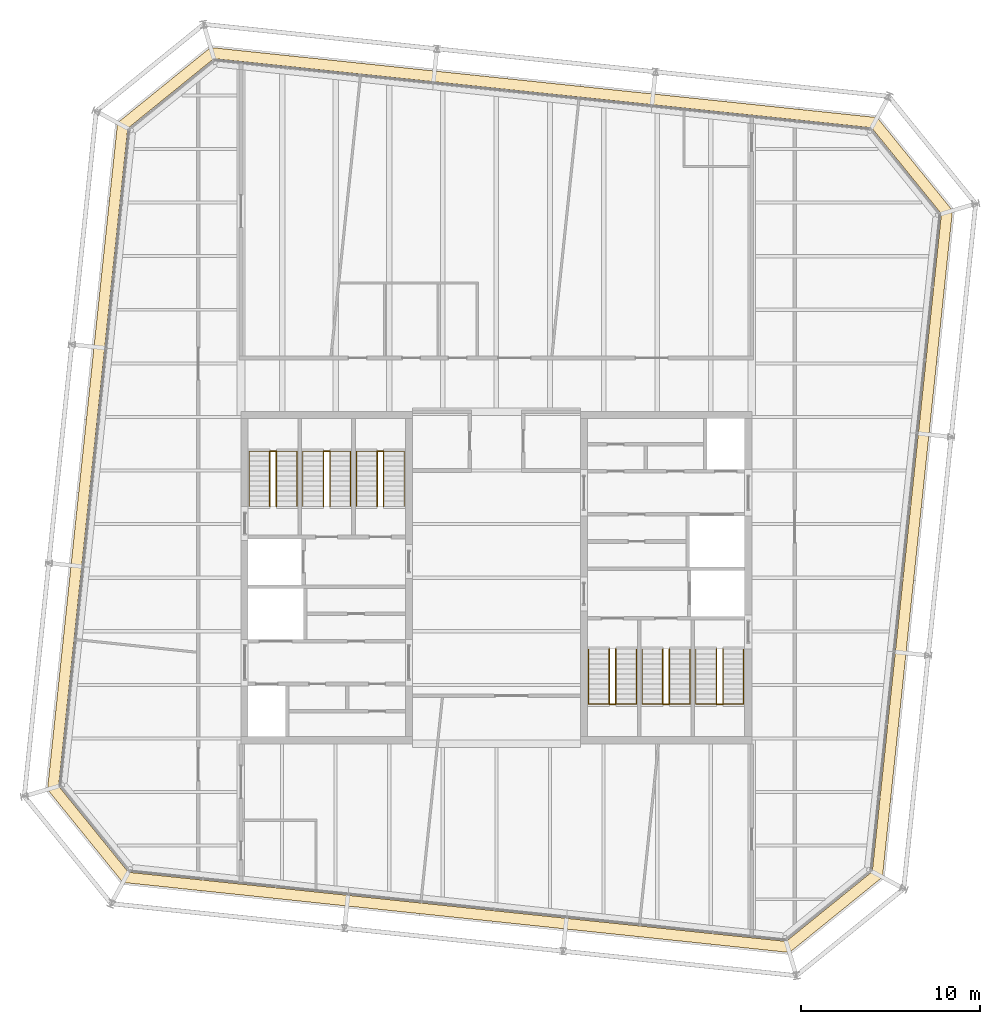
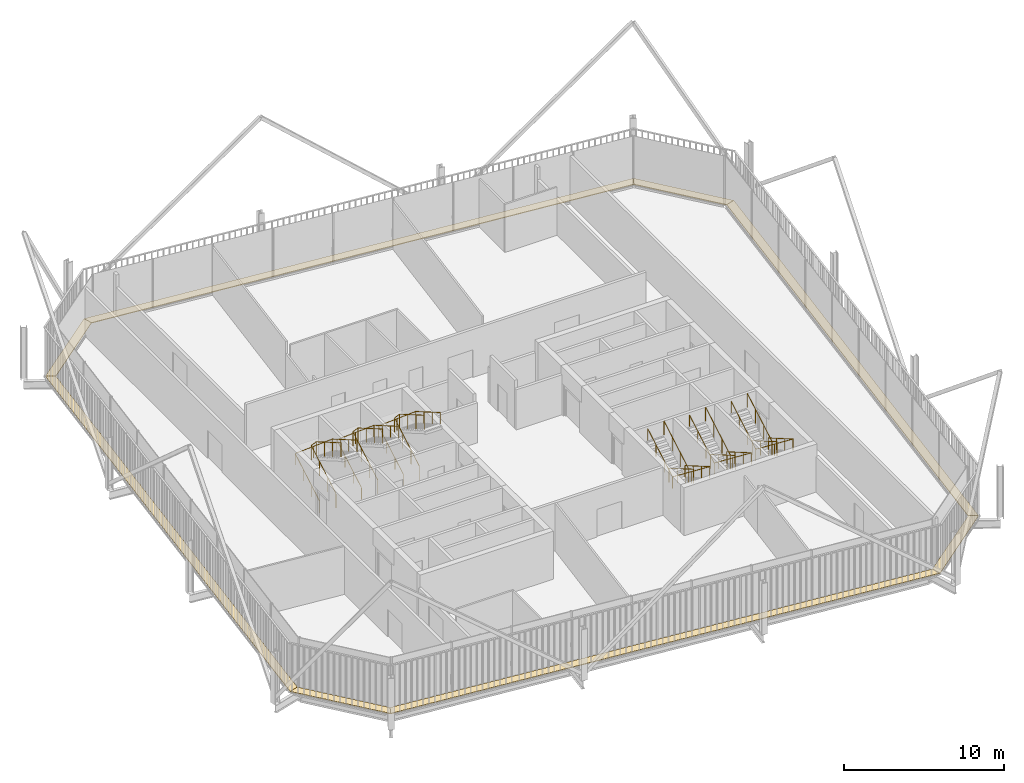
# One storey, part 21 of 21: 12 railings, 8 coverings.
"""IFC4 building model written with IfcOpenShell, lengths in metres."""

from ifc_helpers import new_model, si_unit, direction, frame, origin, origin_2d, place, context, subcontext, project, spatial, polyline, circle, outline, extrude, material, layer, layer_set, type_object, element, save


model = new_model("IFC4")

# Units and contexts
model_context = context("Model", 3, precision=1e-05, world=origin(), true_north=direction((0.0, 1.0)))
body_context = subcontext(model_context, "Body", "Model", "MODEL_VIEW")
ifc_project = project(units=[si_unit("LENGTHUNIT", "METRE"), si_unit("AREAUNIT", "SQUARE_METRE"), si_unit("VOLUMEUNIT", "CUBIC_METRE"), si_unit("PLANEANGLEUNIT", "RADIAN"), si_unit("MASSUNIT", "GRAM", prefix="KILO")], contexts=[model_context])

# Site, building, storey
site_placement = place(None, origin())
site = spatial("IfcSite", under=ifc_project, at=site_placement, CompositionType="ELEMENT")
building_placement = place(site_placement, origin())
building = spatial("IfcBuilding", under=site, at=building_placement, Name="Millrace Tower", CompositionType="ELEMENT")
storey_placement = place(building_placement, frame((0.0, 0.0, 307.199951171875)))
storey = spatial("IfcBuildingStorey", under=building, at=storey_placement, Name="L71", CompositionType="ELEMENT", Elevation=307.199951171875)

# Coverings
ifc_material_1 = material(Name="Steel ASTM A36", Category="steel")
ifc_layer = layer(ifc_material_1, 0.050048828125)
ifc_layer_set = layer_set([ifc_layer], Name="Steel ASTM A36")
covering_type = type_object("IfcCoveringType", Name="CAVITY CATWALK steel grating", PredefinedType="FLOORING", material=ifc_layer_set)
placement = place(storey_placement, frame((0.0, 0.0, 0.10009765625)))
element("IfcCovering", 1, at=placement, inside=storey, type_object=covering_type, Name="Cavity catwalk grating E-F01 L71 1", PredefinedType="FLOORING", context=body_context, shape_type="SweptSolid", body=[
    extrude(outline(polyline([(-25.13232421875, -11.8515625), (-20.914306640625, -17.060302734375), (-20.6044921875, -16.489501953125), (-24.509521484375, -11.6669921875), (-25.13232421875, -11.8515625)])), origin(), (0.0, 0.0, 1.0), 0.050048828125),
])
element("IfcCovering", 2, at=placement, inside=storey, type_object=covering_type, Name="Cavity catwalk grating E-F02 L71 1", PredefinedType="FLOORING", context=body_context, shape_type="SweptSolid", body=[
    extrude(outline(polyline([(-20.914306640625, -17.060302734375), (16.4013671875, -20.982177734375), (16.217041015625, -20.359619140625), (-20.6044921875, -16.489501953125), (-20.914306640625, -17.060302734375)])), origin(), (0.0, 0.0, 1.0), 0.050048828125),
])
element("IfcCovering", 3, at=placement, inside=storey, type_object=covering_type, Name="Cavity catwalk grating E-F03 L71 1", PredefinedType="FLOORING", context=body_context, shape_type="SweptSolid", body=[
    extrude(outline(polyline([(16.4013671875, -20.982177734375), (21.6103515625, -16.764404296875), (21.03955078125, -16.454345703125), (16.217041015625, -20.359619140625), (16.4013671875, -20.982177734375)])), origin(), (0.0, 0.0, 1.0), 0.050048828125),
])
element("IfcCovering", 4, at=placement, inside=storey, type_object=covering_type, Name="Cavity catwalk grating E-F04 L71 1", PredefinedType="FLOORING", context=body_context, shape_type="SweptSolid", body=[
    extrude(outline(polyline([(21.6103515625, -16.764404296875), (25.5322265625, 20.551513671875), (24.90966796875, 20.366943359375), (21.03955078125, -16.454345703125), (21.6103515625, -16.764404296875)])), origin(), (0.0, 0.0, 1.0), 0.050048828125),
])
element("IfcCovering", 5, at=placement, inside=storey, type_object=covering_type, Name="Cavity catwalk grating E-F05 L71 1", PredefinedType="FLOORING", context=body_context, shape_type="SweptSolid", body=[
    extrude(outline(polyline([(25.5322265625, 20.551513671875), (21.314208984375, 25.76025390625), (21.00439453125, 25.189453125), (24.90966796875, 20.366943359375), (25.5322265625, 20.551513671875)])), origin(), (0.0, 0.0, 1.0), 0.050048828125),
])
element("IfcCovering", 6, at=placement, inside=storey, type_object=covering_type, Name="Cavity catwalk grating E-F06 L71 1", PredefinedType="FLOORING", context=body_context, shape_type="SweptSolid", body=[
    extrude(outline(polyline([(21.314208984375, 25.76025390625), (-16.00146484375, 29.682373046875), (-15.817138671875, 29.0595703125), (21.00439453125, 25.189453125), (21.314208984375, 25.76025390625)])), origin(), (0.0, 0.0, 1.0), 0.050048828125),
])
element("IfcCovering", 7, at=placement, inside=storey, type_object=covering_type, Name="Cavity catwalk grating E-F07 L71 1", PredefinedType="FLOORING", context=body_context, shape_type="SweptSolid", body=[
    extrude(outline(polyline([(-16.00146484375, 29.682373046875), (-21.210205078125, 25.46435546875), (-20.639404296875, 25.154541015625), (-15.817138671875, 29.0595703125), (-16.00146484375, 29.682373046875)])), origin(), (0.0, 0.0, 1.0), 0.050048828125),
])
element("IfcCovering", 8, at=placement, inside=storey, type_object=covering_type, Name="Cavity catwalk grating E-F08 L71 1", PredefinedType="FLOORING", context=body_context, shape_type="SweptSolid", body=[
    extrude(outline(polyline([(-21.210205078125, 25.46435546875), (-25.13232421875, -11.8515625), (-24.509521484375, -11.6669921875), (-20.639404296875, 25.154541015625), (-21.210205078125, 25.46435546875)])), origin(), (0.0, 0.0, 1.0), 0.050048828125),
])

# Railings
ifc_material_2 = material(Name="Stainless steel ASTM A240 type 316", Category="steel")
railing_type_1 = type_object("IfcRailingType", Name="Stair guard 1100", PredefinedType="GUARDRAIL", material=ifc_material_2)
for number, where, name in (
    (9, (-12.679931640625, 4.0, 0.16259765625), "Stair guard 1 W L71"),
    (10, (-9.679931640625, 4.0, 0.16259765625), "Stair guard 2 W L71"),
    (11, (-6.679931640625, 4.0, 0.16259765625), "Stair guard 3 W L71"),
):
    element("IfcRailing", number, at=place(storey_placement, frame(where)), inside=storey, type_object=railing_type_1, Name=name, PredefinedType="GUARDRAIL", context=body_context, shape_type="SweptSolid", body=[
        extrude(circle(Radius=0.02392578125, at=origin_2d()), frame((0.0, 0.0, 1.076171875), z_axis=(0.0, 0.864920483161, 0.501908913857), x_axis=(-1.0, 0.0, 0.0)), (0.0, 0.0, 1.0), 3.56103515625),
        extrude(circle(Radius=0.02392578125, at=origin_2d()), frame((0.0, 3.080078125, 2.86328125), z_axis=(0.911295775139, 0.0, 0.411752365158), x_axis=(0.0, 1.0, 0.0)), (0.0, 0.0, 1.0), 0.394775390625),
        extrude(circle(Radius=0.02392578125, at=origin_2d()), frame((0.35986328125, 3.080078125, 3.02587890625), z_axis=(0.0, -0.864890721111, 0.501960198159), x_axis=(1.0, 0.0, 0.0)), (0.0, 0.0, 1.0), 3.561279296875),
        extrude(circle(Radius=0.02099609375, at=origin_2d()), origin(), (0.0, 0.0, 1.0), 1.052001953125),
        extrude(circle(Radius=0.02099609375, at=origin_2d()), frame((0.0, 1.026611328125, 0.595703125)), (0.0, 0.0, 1.0), 1.052001953125),
        extrude(circle(Radius=0.02099609375, at=origin_2d()), frame((0.0, 2.053466796875, 1.191650390625)), (0.0, 0.0, 1.0), 1.052001953125),
        extrude(circle(Radius=0.02099609375, at=origin_2d()), frame((0.0, 3.080078125, 1.787353515625)), (0.0, 0.0, 1.0), 1.052001953125),
        extrude(circle(Radius=0.02099609375, at=origin_2d()), frame((0.35986328125, 3.080078125, 1.949951171875)), (0.0, 0.0, 1.0), 1.052001953125),
        extrude(circle(Radius=0.02099609375, at=origin_2d()), frame((0.35986328125, 2.053466796875, 2.5458984375)), (0.0, 0.0, 1.0), 1.052001953125),
        extrude(circle(Radius=0.02099609375, at=origin_2d()), frame((0.35986328125, 1.026611328125, 3.1416015625)), (0.0, 0.0, 1.0), 1.052001953125),
        extrude(circle(Radius=0.02099609375, at=origin_2d()), frame((0.35986328125, 0.0, 3.737548828125)), (0.0, 0.0, 1.0), 1.052001953125),
    ])
for number, where, name in (
    (12, (12.679931640625, -4.0, 0.16259765625), "Stair guard 1 E L71"),
    (13, (9.679931640625, -4.0, 0.16259765625), "Stair guard 2 E L71"),
    (14, (6.679931640625, -4.0, 0.16259765625), "Stair guard 3 E L71"),
):
    element("IfcRailing", number, at=place(storey_placement, frame(where)), inside=storey, type_object=railing_type_1, Name=name, PredefinedType="GUARDRAIL", context=body_context, shape_type="SweptSolid", body=[
        extrude(circle(Radius=0.02392578125, at=origin_2d()), frame((0.0, 0.0, 1.076171875), z_axis=(0.0, -0.864920483161, 0.501908913857), x_axis=(1.0, 0.0, 0.0)), (0.0, 0.0, 1.0), 3.56103515625),
        extrude(circle(Radius=0.02392578125, at=origin_2d()), frame((0.0, -3.080078125, 2.86328125), z_axis=(-0.911295775139, 0.0, 0.411752365158), x_axis=(0.0, -1.0, 0.0)), (0.0, 0.0, 1.0), 0.394775390625),
        extrude(circle(Radius=0.02392578125, at=origin_2d()), frame((-0.35986328125, -3.080078125, 3.02587890625), z_axis=(0.0, 0.864890721111, 0.501960198159), x_axis=(-1.0, 0.0, 0.0)), (0.0, 0.0, 1.0), 3.561279296875),
        extrude(circle(Radius=0.02099609375, at=origin_2d()), origin(), (0.0, 0.0, 1.0), 1.052001953125),
        extrude(circle(Radius=0.02099609375, at=origin_2d()), frame((0.0, -1.026611328125, 0.595703125)), (0.0, 0.0, 1.0), 1.052001953125),
        extrude(circle(Radius=0.02099609375, at=origin_2d()), frame((0.0, -2.053466796875, 1.191650390625)), (0.0, 0.0, 1.0), 1.052001953125),
        extrude(circle(Radius=0.02099609375, at=origin_2d()), frame((0.0, -3.080078125, 1.787353515625)), (0.0, 0.0, 1.0), 1.052001953125),
        extrude(circle(Radius=0.02099609375, at=origin_2d()), frame((-0.35986328125, -3.080078125, 1.949951171875)), (0.0, 0.0, 1.0), 1.052001953125),
        extrude(circle(Radius=0.02099609375, at=origin_2d()), frame((-0.35986328125, -2.053466796875, 2.5458984375)), (0.0, 0.0, 1.0), 1.052001953125),
        extrude(circle(Radius=0.02099609375, at=origin_2d()), frame((-0.35986328125, -1.026611328125, 3.1416015625)), (0.0, 0.0, 1.0), 1.052001953125),
        extrude(circle(Radius=0.02099609375, at=origin_2d()), frame((-0.35986328125, 0.0, 3.737548828125)), (0.0, 0.0, 1.0), 1.052001953125),
    ])
ifc_material_3 = material(Name="Stainless steel ASTM A240 type 316", Category="steel")
railing_type_2 = type_object("IfcRailingType", Name="Stair handrail 900", PredefinedType="HANDRAIL", material=ifc_material_3)
railing_1_placement = place(storey_placement, frame((-13.840087890625, 4.0, 0.16259765625)))
element("IfcRailing", 15, at=railing_1_placement, inside=storey, type_object=railing_type_2, Name="Stair handrail 1 W L71", PredefinedType="HANDRAIL", context=body_context, shape_type="SweptSolid", body=[
    extrude(circle(Radius=0.02392578125, at=origin_2d()), frame((0.0, 0.0, 0.8759765625), z_axis=(0.0, 0.864920483161, 0.501908913857), x_axis=(-1.0, 0.0, 0.0)), (0.0, 0.0, 1.0), 3.56103515625),
    extrude(circle(Radius=0.02392578125, at=origin_2d()), frame((0.0, 3.080078125, 2.6630859375), z_axis=(0.998164834547, 0.0, 0.060555454528), x_axis=(0.0, 1.0, 0.0)), (0.0, 0.0, 1.0), 2.68505859375),
    extrude(circle(Radius=0.02392578125, at=origin_2d()), frame((2.68017578125, 3.080078125, 2.82568359375), z_axis=(0.0, -0.864890721111, 0.501960198159), x_axis=(1.0, 0.0, 0.0)), (0.0, 0.0, 1.0), 3.561279296875),
    extrude(circle(Radius=0.02099609375, at=origin_2d()), origin(), (0.0, 0.0, 1.0), 0.851806640625),
    extrude(circle(Radius=0.02099609375, at=origin_2d()), frame((0.0, 1.026611328125, 0.595703125)), (0.0, 0.0, 1.0), 0.851806640625),
    extrude(circle(Radius=0.02099609375, at=origin_2d()), frame((0.0, 2.053466796875, 1.191650390625)), (0.0, 0.0, 1.0), 0.851806640625),
    extrude(circle(Radius=0.02099609375, at=origin_2d()), frame((0.0, 3.080078125, 1.787353515625)), (0.0, 0.0, 1.0), 0.851806640625),
    extrude(circle(Radius=0.02099609375, at=origin_2d()), frame((1.340087890625, 3.080078125, 1.86865234375)), (0.0, 0.0, 1.0), 0.851806640625),
    extrude(circle(Radius=0.02099609375, at=origin_2d()), frame((2.68017578125, 3.080078125, 1.949951171875)), (0.0, 0.0, 1.0), 0.851806640625),
    extrude(circle(Radius=0.02099609375, at=origin_2d()), frame((2.68017578125, 2.053466796875, 2.5458984375)), (0.0, 0.0, 1.0), 0.851806640625),
    extrude(circle(Radius=0.02099609375, at=origin_2d()), frame((2.68017578125, 1.026611328125, 3.1416015625)), (0.0, 0.0, 1.0), 0.851806640625),
    extrude(circle(Radius=0.02099609375, at=origin_2d()), frame((2.68017578125, 0.0, 3.737548828125)), (0.0, 0.0, 1.0), 0.851806640625),
])
railing_2_placement = place(storey_placement, frame((-10.840087890625, 4.0, 0.16259765625)))
element("IfcRailing", 16, at=railing_2_placement, inside=storey, type_object=railing_type_2, Name="Stair handrail 2 W L71", PredefinedType="HANDRAIL", context=body_context, shape_type="SweptSolid", body=[
    extrude(circle(Radius=0.02392578125, at=origin_2d()), frame((0.0, 0.0, 0.8759765625), z_axis=(0.0, 0.864920483161, 0.501908913857), x_axis=(-1.0, 0.0, 0.0)), (0.0, 0.0, 1.0), 3.56103515625),
    extrude(circle(Radius=0.02392578125, at=origin_2d()), frame((0.0, 3.080078125, 2.6630859375), z_axis=(0.998164834547, 0.0, 0.060555454528), x_axis=(0.0, 1.0, 0.0)), (0.0, 0.0, 1.0), 2.68505859375),
    extrude(circle(Radius=0.02392578125, at=origin_2d()), frame((2.68017578125, 3.080078125, 2.82568359375), z_axis=(0.0, -0.864890721111, 0.501960198159), x_axis=(1.0, 0.0, 0.0)), (0.0, 0.0, 1.0), 3.561279296875),
    extrude(circle(Radius=0.02099609375, at=origin_2d()), origin(), (0.0, 0.0, 1.0), 0.851806640625),
    extrude(circle(Radius=0.02099609375, at=origin_2d()), frame((0.0, 1.026611328125, 0.595703125)), (0.0, 0.0, 1.0), 0.851806640625),
    extrude(circle(Radius=0.02099609375, at=origin_2d()), frame((0.0, 2.053466796875, 1.191650390625)), (0.0, 0.0, 1.0), 0.851806640625),
    extrude(circle(Radius=0.02099609375, at=origin_2d()), frame((0.0, 3.080078125, 1.787353515625)), (0.0, 0.0, 1.0), 0.851806640625),
    extrude(circle(Radius=0.02099609375, at=origin_2d()), frame((1.340087890625, 3.080078125, 1.86865234375)), (0.0, 0.0, 1.0), 0.851806640625),
    extrude(circle(Radius=0.02099609375, at=origin_2d()), frame((2.68017578125, 3.080078125, 1.949951171875)), (0.0, 0.0, 1.0), 0.851806640625),
    extrude(circle(Radius=0.02099609375, at=origin_2d()), frame((2.68017578125, 2.053466796875, 2.5458984375)), (0.0, 0.0, 1.0), 0.851806640625),
    extrude(circle(Radius=0.02099609375, at=origin_2d()), frame((2.68017578125, 1.026611328125, 3.1416015625)), (0.0, 0.0, 1.0), 0.851806640625),
    extrude(circle(Radius=0.02099609375, at=origin_2d()), frame((2.68017578125, 0.0, 3.737548828125)), (0.0, 0.0, 1.0), 0.851806640625),
])
railing_3_placement = place(storey_placement, frame((-7.840087890625, 4.0, 0.16259765625)))
element("IfcRailing", 17, at=railing_3_placement, inside=storey, type_object=railing_type_2, Name="Stair handrail 3 W L71", PredefinedType="HANDRAIL", context=body_context, shape_type="SweptSolid", body=[
    extrude(circle(Radius=0.02392578125, at=origin_2d()), frame((0.0, 0.0, 0.8759765625), z_axis=(0.0, 0.864920483161, 0.501908913857), x_axis=(-1.0, 0.0, 0.0)), (0.0, 0.0, 1.0), 3.56103515625),
    extrude(circle(Radius=0.02392578125, at=origin_2d()), frame((0.0, 3.080078125, 2.6630859375), z_axis=(0.998164834547, 0.0, 0.060555454528), x_axis=(0.0, 1.0, 0.0)), (0.0, 0.0, 1.0), 2.68505859375),
    extrude(circle(Radius=0.02392578125, at=origin_2d()), frame((2.68017578125, 3.080078125, 2.82568359375), z_axis=(0.0, -0.864890721111, 0.501960198159), x_axis=(1.0, 0.0, 0.0)), (0.0, 0.0, 1.0), 3.561279296875),
    extrude(circle(Radius=0.02099609375, at=origin_2d()), origin(), (0.0, 0.0, 1.0), 0.851806640625),
    extrude(circle(Radius=0.02099609375, at=origin_2d()), frame((0.0, 1.026611328125, 0.595703125)), (0.0, 0.0, 1.0), 0.851806640625),
    extrude(circle(Radius=0.02099609375, at=origin_2d()), frame((0.0, 2.053466796875, 1.191650390625)), (0.0, 0.0, 1.0), 0.851806640625),
    extrude(circle(Radius=0.02099609375, at=origin_2d()), frame((0.0, 3.080078125, 1.787353515625)), (0.0, 0.0, 1.0), 0.851806640625),
    extrude(circle(Radius=0.02099609375, at=origin_2d()), frame((1.340087890625, 3.080078125, 1.86865234375)), (0.0, 0.0, 1.0), 0.851806640625),
    extrude(circle(Radius=0.02099609375, at=origin_2d()), frame((2.68017578125, 3.080078125, 1.949951171875)), (0.0, 0.0, 1.0), 0.851806640625),
    extrude(circle(Radius=0.02099609375, at=origin_2d()), frame((2.68017578125, 2.053466796875, 2.5458984375)), (0.0, 0.0, 1.0), 0.851806640625),
    extrude(circle(Radius=0.02099609375, at=origin_2d()), frame((2.68017578125, 1.026611328125, 3.1416015625)), (0.0, 0.0, 1.0), 0.851806640625),
    extrude(circle(Radius=0.02099609375, at=origin_2d()), frame((2.68017578125, 0.0, 3.737548828125)), (0.0, 0.0, 1.0), 0.851806640625),
])
railing_4_placement = place(storey_placement, frame((13.840087890625, -4.0, 0.16259765625)))
element("IfcRailing", 18, at=railing_4_placement, inside=storey, type_object=railing_type_2, Name="Stair handrail 1 E L71", PredefinedType="HANDRAIL", context=body_context, shape_type="SweptSolid", body=[
    extrude(circle(Radius=0.02392578125, at=origin_2d()), frame((0.0, 0.0, 0.8759765625), z_axis=(0.0, -0.864920483161, 0.501908913857), x_axis=(1.0, 0.0, 0.0)), (0.0, 0.0, 1.0), 3.56103515625),
    extrude(circle(Radius=0.02392578125, at=origin_2d()), frame((0.0, -3.080078125, 2.6630859375), z_axis=(-0.998164834547, 0.0, 0.060555454528), x_axis=(0.0, -1.0, 0.0)), (0.0, 0.0, 1.0), 2.68505859375),
    extrude(circle(Radius=0.02392578125, at=origin_2d()), frame((-2.68017578125, -3.080078125, 2.82568359375), z_axis=(0.0, 0.864890721111, 0.501960198159), x_axis=(-1.0, 0.0, 0.0)), (0.0, 0.0, 1.0), 3.561279296875),
    extrude(circle(Radius=0.02099609375, at=origin_2d()), origin(), (0.0, 0.0, 1.0), 0.851806640625),
    extrude(circle(Radius=0.02099609375, at=origin_2d()), frame((0.0, -1.026611328125, 0.595703125)), (0.0, 0.0, 1.0), 0.851806640625),
    extrude(circle(Radius=0.02099609375, at=origin_2d()), frame((0.0, -2.053466796875, 1.191650390625)), (0.0, 0.0, 1.0), 0.851806640625),
    extrude(circle(Radius=0.02099609375, at=origin_2d()), frame((0.0, -3.080078125, 1.787353515625)), (0.0, 0.0, 1.0), 0.851806640625),
    extrude(circle(Radius=0.02099609375, at=origin_2d()), frame((-1.340087890625, -3.080078125, 1.86865234375)), (0.0, 0.0, 1.0), 0.851806640625),
    extrude(circle(Radius=0.02099609375, at=origin_2d()), frame((-2.68017578125, -3.080078125, 1.949951171875)), (0.0, 0.0, 1.0), 0.851806640625),
    extrude(circle(Radius=0.02099609375, at=origin_2d()), frame((-2.68017578125, -2.053466796875, 2.5458984375)), (0.0, 0.0, 1.0), 0.851806640625),
    extrude(circle(Radius=0.02099609375, at=origin_2d()), frame((-2.68017578125, -1.026611328125, 3.1416015625)), (0.0, 0.0, 1.0), 0.851806640625),
    extrude(circle(Radius=0.02099609375, at=origin_2d()), frame((-2.68017578125, 0.0, 3.737548828125)), (0.0, 0.0, 1.0), 0.851806640625),
])
railing_5_placement = place(storey_placement, frame((10.840087890625, -4.0, 0.16259765625)))
element("IfcRailing", 19, at=railing_5_placement, inside=storey, type_object=railing_type_2, Name="Stair handrail 2 E L71", PredefinedType="HANDRAIL", context=body_context, shape_type="SweptSolid", body=[
    extrude(circle(Radius=0.02392578125, at=origin_2d()), frame((0.0, 0.0, 0.8759765625), z_axis=(0.0, -0.864920483161, 0.501908913857), x_axis=(1.0, 0.0, 0.0)), (0.0, 0.0, 1.0), 3.56103515625),
    extrude(circle(Radius=0.02392578125, at=origin_2d()), frame((0.0, -3.080078125, 2.6630859375), z_axis=(-0.998164834547, 0.0, 0.060555454528), x_axis=(0.0, -1.0, 0.0)), (0.0, 0.0, 1.0), 2.68505859375),
    extrude(circle(Radius=0.02392578125, at=origin_2d()), frame((-2.68017578125, -3.080078125, 2.82568359375), z_axis=(0.0, 0.864890721111, 0.501960198159), x_axis=(-1.0, 0.0, 0.0)), (0.0, 0.0, 1.0), 3.561279296875),
    extrude(circle(Radius=0.02099609375, at=origin_2d()), origin(), (0.0, 0.0, 1.0), 0.851806640625),
    extrude(circle(Radius=0.02099609375, at=origin_2d()), frame((0.0, -1.026611328125, 0.595703125)), (0.0, 0.0, 1.0), 0.851806640625),
    extrude(circle(Radius=0.02099609375, at=origin_2d()), frame((0.0, -2.053466796875, 1.191650390625)), (0.0, 0.0, 1.0), 0.851806640625),
    extrude(circle(Radius=0.02099609375, at=origin_2d()), frame((0.0, -3.080078125, 1.787353515625)), (0.0, 0.0, 1.0), 0.851806640625),
    extrude(circle(Radius=0.02099609375, at=origin_2d()), frame((-1.340087890625, -3.080078125, 1.86865234375)), (0.0, 0.0, 1.0), 0.851806640625),
    extrude(circle(Radius=0.02099609375, at=origin_2d()), frame((-2.68017578125, -3.080078125, 1.949951171875)), (0.0, 0.0, 1.0), 0.851806640625),
    extrude(circle(Radius=0.02099609375, at=origin_2d()), frame((-2.68017578125, -2.053466796875, 2.5458984375)), (0.0, 0.0, 1.0), 0.851806640625),
    extrude(circle(Radius=0.02099609375, at=origin_2d()), frame((-2.68017578125, -1.026611328125, 3.1416015625)), (0.0, 0.0, 1.0), 0.851806640625),
    extrude(circle(Radius=0.02099609375, at=origin_2d()), frame((-2.68017578125, 0.0, 3.737548828125)), (0.0, 0.0, 1.0), 0.851806640625),
])
railing_6_placement = place(storey_placement, frame((7.840087890625, -4.0, 0.16259765625)))
element("IfcRailing", 20, at=railing_6_placement, inside=storey, type_object=railing_type_2, Name="Stair handrail 3 E L71", PredefinedType="HANDRAIL", context=body_context, shape_type="SweptSolid", body=[
    extrude(circle(Radius=0.02392578125, at=origin_2d()), frame((0.0, 0.0, 0.8759765625), z_axis=(0.0, -0.864920483161, 0.501908913857), x_axis=(1.0, 0.0, 0.0)), (0.0, 0.0, 1.0), 3.56103515625),
    extrude(circle(Radius=0.02392578125, at=origin_2d()), frame((0.0, -3.080078125, 2.6630859375), z_axis=(-0.998164834547, 0.0, 0.060555454528), x_axis=(0.0, -1.0, 0.0)), (0.0, 0.0, 1.0), 2.68505859375),
    extrude(circle(Radius=0.02392578125, at=origin_2d()), frame((-2.68017578125, -3.080078125, 2.82568359375), z_axis=(0.0, 0.864890721111, 0.501960198159), x_axis=(-1.0, 0.0, 0.0)), (0.0, 0.0, 1.0), 3.561279296875),
    extrude(circle(Radius=0.02099609375, at=origin_2d()), origin(), (0.0, 0.0, 1.0), 0.851806640625),
    extrude(circle(Radius=0.02099609375, at=origin_2d()), frame((0.0, -1.026611328125, 0.595703125)), (0.0, 0.0, 1.0), 0.851806640625),
    extrude(circle(Radius=0.02099609375, at=origin_2d()), frame((0.0, -2.053466796875, 1.191650390625)), (0.0, 0.0, 1.0), 0.851806640625),
    extrude(circle(Radius=0.02099609375, at=origin_2d()), frame((0.0, -3.080078125, 1.787353515625)), (0.0, 0.0, 1.0), 0.851806640625),
    extrude(circle(Radius=0.02099609375, at=origin_2d()), frame((-1.340087890625, -3.080078125, 1.86865234375)), (0.0, 0.0, 1.0), 0.851806640625),
    extrude(circle(Radius=0.02099609375, at=origin_2d()), frame((-2.68017578125, -3.080078125, 1.949951171875)), (0.0, 0.0, 1.0), 0.851806640625),
    extrude(circle(Radius=0.02099609375, at=origin_2d()), frame((-2.68017578125, -2.053466796875, 2.5458984375)), (0.0, 0.0, 1.0), 0.851806640625),
    extrude(circle(Radius=0.02099609375, at=origin_2d()), frame((-2.68017578125, -1.026611328125, 3.1416015625)), (0.0, 0.0, 1.0), 0.851806640625),
    extrude(circle(Radius=0.02099609375, at=origin_2d()), frame((-2.68017578125, 0.0, 3.737548828125)), (0.0, 0.0, 1.0), 0.851806640625),
])

save(model, "model.ifc")
